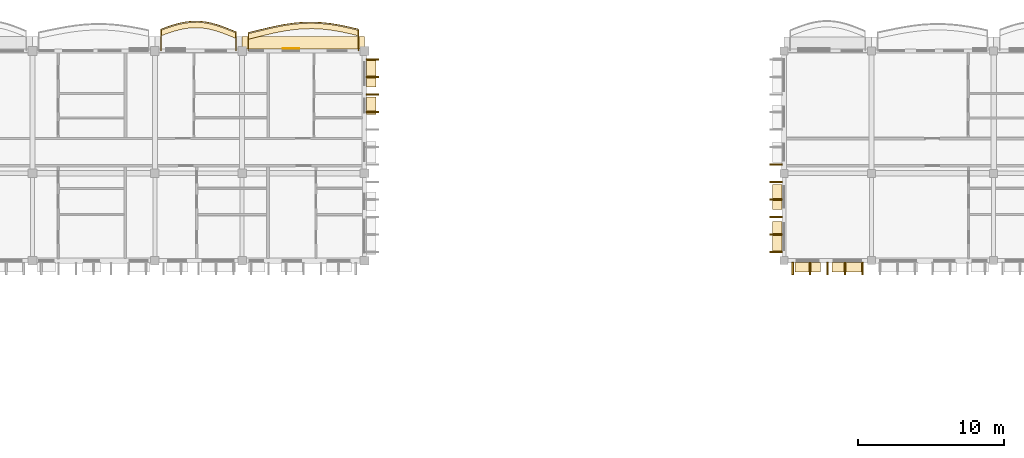
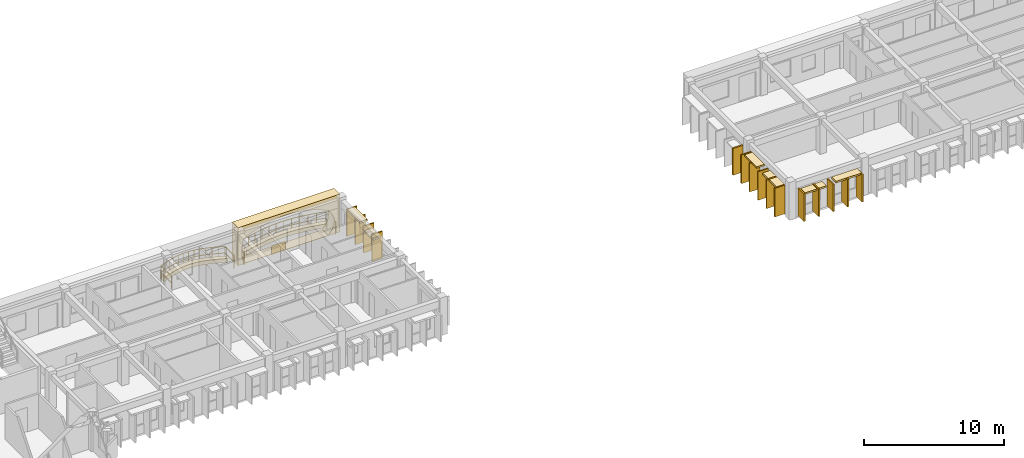
# One storey, part 45 of 59: 25 coverings, 2 railings.
"""IFC4 building model written with IfcOpenShell, lengths in metres."""

from ifc_helpers import new_model, si_unit, direction, frame, origin, origin_2d, place, context, subcontext, project, spatial, polyline, rectangle, outline, extrude, material, layer, layer_set, type_object, element, save


model = new_model("IFC4")

# Units and contexts
model_context = context("Model", 3, precision=1e-05, world=origin(), true_north=direction((0.0, 1.0)))
body_context = subcontext(model_context, "Body", "Model", "MODEL_VIEW")
ifc_project = project(units=[si_unit("LENGTHUNIT", "METRE"), si_unit("AREAUNIT", "SQUARE_METRE"), si_unit("VOLUMEUNIT", "CUBIC_METRE"), si_unit("PLANEANGLEUNIT", "RADIAN"), si_unit("MASSUNIT", "GRAM", prefix="KILO"), si_unit("THERMODYNAMICTEMPERATUREUNIT", "KELVIN")], contexts=[model_context])

# Site, building, storey
site_placement = place(None, origin())
site = spatial("IfcSite", under=ifc_project, at=site_placement, CompositionType="ELEMENT")
building_placement = place(site_placement, origin())
building = spatial("IfcBuilding", under=site, at=building_placement, Name="Thalorik Housing Commons", CompositionType="ELEMENT")
storey_placement = place(building_placement, frame((0.0, 0.0, 27.89990234375)))
storey = spatial("IfcBuildingStorey", under=building, at=storey_placement, Name="L08", CompositionType="ELEMENT", Elevation=27.89990234375)

# Coverings
ifc_material_1 = material(Name="Precast concrete C40/50", Category="concrete")
ifc_layer_1 = layer(ifc_material_1, 0.85009765625, Name="Precast concrete C40/50", Category="concrete")
ifc_layer_set_1 = layer_set([ifc_layer_1], Name="Precast concrete C40/50")
covering_type_1 = type_object("IfcCoveringType", Name="ARC-CLD-CUSH-850", PredefinedType="CLADDING", material=ifc_layer_set_1)
covering_1_placement = place(storey_placement, frame((47.39990234375, 124.155029296875, 0.0), z_axis=(0.0, 0.0, 1.0), x_axis=(-1.0, 0.0, 0.0)))
element("IfcCovering", 1, at=covering_1_placement, inside=storey, type_object=covering_type_1, Name="L08 White Precast Curved Cushion Bay Frame 855", PredefinedType="CLADDING", context=body_context, shape_type="SweptSolid", body=[
    extrude(outline(polyline([(-4.199951171875, 0.0), (4.199951171875, 0.0), (4.199951171875, 3.300048828125), (-4.199951171875, 3.300048828125), (-4.199951171875, 0.0)]), holes=[polyline([(3.715087890625, 0.02490234375), (3.8173828125, 0.387451171875), (3.87890625, 0.75), (3.8994140625, 1.112548828125), (3.87890625, 1.47509765625), (3.8173828125, 1.83740234375), (3.715087890625, 2.199951171875), (3.135498046875, 2.455810546875), (2.555908203125, 2.656494140625), (1.976318359375, 2.819091796875), (1.396728515625, 2.940185546875), (0.817138671875, 3.014892578125), (0.237548828125, 3.0400390625), (-0.342041015625, 3.014892578125), (-0.921630859375, 2.940185546875), (-1.501220703125, 2.819091796875), (-2.080810546875, 2.656494140625), (-2.660400390625, 2.455810546875), (-3.239990234375, 2.199951171875), (-3.523193359375, 1.83740234375), (-3.693359375, 1.47509765625), (-3.75, 1.112548828125), (-3.693359375, 0.75), (-3.523193359375, 0.387451171875), (-3.239990234375, 0.02490234375), (3.715087890625, 0.02490234375)])]), frame((0.0, 0.425048828125, 0.0), z_axis=(0.0, -1.0, 0.0), x_axis=(1.0, 0.0, 0.0)), (0.0, 0.0, 1.0), 0.85009765625),
])
ifc_layer_2 = layer(ifc_material_1, 0.85009765625, Name="Precast concrete C40/50", Category="concrete")
ifc_layer_set_2 = layer_set([ifc_layer_2], Name="Precast concrete C40/50")
covering_type_2 = type_object("IfcCoveringType", Name="ARC-CLD-FIN-850", PredefinedType="CLADDING", material=ifc_layer_set_2)
for number, where, z_axis, x_axis, name in (
    (2, (52.155029296875, 119.39990234375, 0.0400390625), (0.0, 0.0, 1.0), (0.0, 1.0, 0.0), "L08 Courtyard Precast Vertical Brise-Soleil Fin 848"),
    (3, (52.155029296875, 120.60009765625, 0.0400390625), (0.0, 0.0, 1.0), (0.0, 1.0, 0.0), "L08 Courtyard Precast Vertical Brise-Soleil Fin 849"),
    (4, (52.155029296875, 121.800048828125, 0.0400390625), (0.0, 0.0, 1.0), (0.0, 1.0, 0.0), "L08 Courtyard Precast Vertical Brise-Soleil Fin 850"),
    (5, (52.155029296875, 123.0, 0.0400390625), (0.0, 0.0, 1.0), (0.0, 1.0, 0.0), "L08 Courtyard Precast Vertical Brise-Soleil Fin 851"),
    (6, (79.8525390625, 115.800048828125, 0.0400390625), (0.0, 0.0, 1.0), (0.0, -1.0, 0.0), "L08 Courtyard Precast Vertical Brise-Soleil Fin 2734"),
):
    element("IfcCovering", number, at=place(storey_placement, frame(where, z_axis=z_axis, x_axis=x_axis)), inside=storey, type_object=covering_type_2, Name=name, PredefinedType="CLADDING", context=body_context, shape_type="SweptSolid", body=[
        extrude(rectangle(XDim=0.110107421875, YDim=0.85009765625, at=origin_2d()), origin(), (0.0, 0.0, 1.0), 2.344970703125),
    ])
for number, where, z_axis, x_axis, name in (
    (7, (79.8525390625, 114.60009765625, 0.0400390625), (0.0, 0.0, 1.0), (0.0, -1.0, 0.0), "L08 Courtyard Precast Vertical Brise-Soleil Fin 2738"),
    (8, (79.8525390625, 113.39990234375, 0.0400390625), (0.0, 0.0, 1.0), (0.0, -1.0, 0.0), "L08 Courtyard Precast Vertical Brise-Soleil Fin 2739"),
    (9, (79.8525390625, 112.199951171875, 0.0400390625), (0.0, 0.0, 1.0), (0.0, -1.0, 0.0), "L08 Courtyard Precast Vertical Brise-Soleil Fin 2740"),
    (10, (79.8525390625, 111.0, 0.0400390625), (0.0, 0.0, 1.0), (0.0, -1.0, 0.0), "L08 Courtyard Precast Vertical Brise-Soleil Fin 2741"),
    (11, (79.8525390625, 109.800048828125, 0.0400390625), (0.0, 0.0, 1.0), (0.0, -1.0, 0.0), "L08 Courtyard Precast Vertical Brise-Soleil Fin 2742"),
):
    element("IfcCovering", number, at=place(storey_placement, frame(where, z_axis=z_axis, x_axis=x_axis)), inside=storey, type_object=covering_type_2, Name=name, PredefinedType="CLADDING", context=body_context, shape_type="SweptSolid", body=[
        extrude(rectangle(XDim=0.110107421875, YDim=0.85009765625, at=origin_2d()), origin(), (0.0, 0.0, 1.0), 2.4951171875),
    ])
for number, where, z_axis, x_axis, name in (
    (12, (81.0, 108.652587890625, 0.0400390625), (0.0, 0.0, 1.0), (1.0, 0.0, 0.0), "L08 Courtyard Precast Vertical Brise-Soleil Fin 2745"),
    (13, (82.199951171875, 108.652587890625, 0.0400390625), (0.0, 0.0, 1.0), (1.0, 0.0, 0.0), "L08 Courtyard Precast Vertical Brise-Soleil Fin 2746"),
    (14, (83.39990234375, 108.652587890625, 0.0400390625), (0.0, 0.0, 1.0), (1.0, 0.0, 0.0), "L08 Courtyard Precast Vertical Brise-Soleil Fin 2747"),
    (15, (84.60009765625, 108.652587890625, 0.0400390625), (0.0, 0.0, 1.0), (1.0, 0.0, 0.0), "L08 Courtyard Precast Vertical Brise-Soleil Fin 2748"),
    (16, (85.800048828125, 108.652587890625, 0.0400390625), (0.0, 0.0, 1.0), (1.0, 0.0, 0.0), "L08 Courtyard Precast Vertical Brise-Soleil Fin 2749"),
):
    element("IfcCovering", number, at=place(storey_placement, frame(where, z_axis=z_axis, x_axis=x_axis)), inside=storey, type_object=covering_type_2, Name=name, PredefinedType="CLADDING", context=body_context, shape_type="SweptSolid", body=[
        extrude(rectangle(XDim=0.110107421875, YDim=0.85009765625, at=origin_2d()), origin(), (0.0, 0.0, 1.0), 2.39501953125),
    ])
ifc_layer_3 = layer(ifc_material_1, 0.64990234375, Name="Precast concrete C40/50", Category="concrete")
ifc_layer_set_3 = layer_set([ifc_layer_3], Name="Precast concrete C40/50")
covering_type_3 = type_object("IfcCoveringType", Name="ARC-CLD-HOOD-650", PredefinedType="CLADDING", material=ifc_layer_set_3)
covering_2_placement = place(storey_placement, frame((52.054931640625, 119.8447265625, 1.93994140625), z_axis=(0.0, 0.0, 1.0), x_axis=(0.0, 1.0, 0.0)))
element("IfcCovering", 17, at=covering_2_placement, inside=storey, type_object=covering_type_3, Name="L08 Courtyard Precast Window Sun-Hood 853", PredefinedType="CLADDING", context=body_context, shape_type="SweptSolid", body=[
    extrude(rectangle(XDim=1.18994140625, YDim=0.64990234375, at=origin_2d()), origin(), (0.0, 0.0, 1.0), 0.139892578125),
])
covering_3_placement = place(storey_placement, frame((52.054931640625, 122.044677734375, 2.27001953125), z_axis=(0.0, 0.0, 1.0), x_axis=(0.0, 1.0, 0.0)))
element("IfcCovering", 18, at=covering_3_placement, inside=storey, type_object=covering_type_3, Name="L08 Courtyard Precast Window Sun-Hood 854", PredefinedType="CLADDING", context=body_context, shape_type="SweptSolid", body=[
    extrude(rectangle(XDim=1.820068359375, YDim=0.64990234375, at=origin_2d()), origin(), (0.0, 0.0, 1.0), 0.139892578125),
])
covering_4_placement = place(storey_placement, frame((79.952392578125, 113.570068359375, 2.42529296875), z_axis=(0.0, 0.0, 1.0), x_axis=(0.0, -1.0, 0.0)))
element("IfcCovering", 19, at=covering_4_placement, inside=storey, type_object=covering_type_3, Name="L08 Courtyard Precast Window Sun-Hood 2743", PredefinedType="CLADDING", context=body_context, shape_type="SweptSolid", body=[
    extrude(rectangle(XDim=1.739990234375, YDim=0.64990234375, at=origin_2d()), origin(), (0.0, 0.0, 1.0), 0.139892578125),
])
covering_5_placement = place(storey_placement, frame((79.952392578125, 110.830078125, 2.39013671875), z_axis=(0.0, 0.0, 1.0), x_axis=(0.0, -1.0, 0.0)))
element("IfcCovering", 20, at=covering_5_placement, inside=storey, type_object=covering_type_3, Name="L08 Courtyard Precast Window Sun-Hood 2744", PredefinedType="CLADDING", context=body_context, shape_type="SweptSolid", body=[
    extrude(rectangle(XDim=2.090087890625, YDim=0.64990234375, at=origin_2d()), origin(), (0.0, 0.0, 1.0), 0.139892578125),
])
covering_6_placement = place(storey_placement, frame((82.030029296875, 108.75244140625, 2.2099609375), z_axis=(0.0, 0.0, 1.0), x_axis=(1.0, 0.0, 0.0)))
element("IfcCovering", 21, at=covering_6_placement, inside=storey, type_object=covering_type_3, Name="L08 Courtyard Precast Window Sun-Hood 2750", PredefinedType="CLADDING", context=body_context, shape_type="SweptSolid", body=[
    extrude(rectangle(XDim=1.760009765625, YDim=0.64990234375, at=origin_2d()), origin(), (0.0, 0.0, 1.0), 0.139892578125),
])
covering_7_placement = place(storey_placement, frame((84.77001953125, 108.75244140625, 2.31005859375), z_axis=(0.0, 0.0, 1.0), x_axis=(1.0, 0.0, 0.0)))
element("IfcCovering", 22, at=covering_7_placement, inside=storey, type_object=covering_type_3, Name="L08 Courtyard Precast Window Sun-Hood 2751", PredefinedType="CLADDING", context=body_context, shape_type="SweptSolid", body=[
    extrude(rectangle(XDim=2.1201171875, YDim=0.64990234375, at=origin_2d()), origin(), (0.0, 0.0, 1.0), 0.139892578125),
])
ifc_material_2 = material(Name="Terracotta red mineral fibre-cement panel", Category="masonry")
ifc_layer_4 = layer(ifc_material_2, 0.054931640625, Name="Terracotta red mineral fibre-cement panel", Category="masonry")
ifc_layer_set_4 = layer_set([ifc_layer_4], Name="Terracotta red mineral fibre-cement panel")
covering_type_4 = type_object("IfcCoveringType", Name="ARC-CLD-RED-55", PredefinedType="CLADDING", material=ifc_layer_set_4)
covering_8_placement = place(storey_placement, frame((46.554443359375, 123.762451171875, 0.05029296875), z_axis=(0.0, 0.0, 1.0), x_axis=(-1.0, 0.0, 0.0)))
element("IfcCovering", 23, at=covering_8_placement, inside=storey, type_object=covering_type_4, Name="L08 De Stijl Recessed Window Spandrel 856", PredefinedType="CLADDING", context=body_context, shape_type="SweptSolid", body=[
    extrude(rectangle(XDim=1.14990234375, YDim=0.054931640625, at=origin_2d()), origin(), (0.0, 0.0, 1.0), 0.699951171875),
])
ifc_material_3 = material(Name="Planted vegetated substrate and terracotta trough", Category="masonry")
ifc_layer_5 = layer(ifc_material_3, 0.340087890625, Name="Planted vegetated substrate and terracotta trough", Category="masonry")
ifc_layer_set_5 = layer_set([ifc_layer_5], Name="Planted vegetated substrate and terracotta trough")
covering_type_5 = type_object("IfcCoveringType", Name="ARC-COV-PLANTER", PredefinedType="USERDEFINED", material=ifc_layer_set_5)
covering_9_placement = place(storey_placement, origin())
element("IfcCovering", 24, at=covering_9_placement, inside=storey, type_object=covering_type_5, Name="L08 Balcony Slab-Edge Planted Trough 5373", ObjectType="PLANTER", PredefinedType="USERDEFINED", context=body_context, shape_type="SweptSolid", body=[
    extrude(outline(polyline([(42.780029296875, 124.83154296875), (42.35009765625, 125.009521484375), (41.919921875, 125.17822265625), (41.489990234375, 125.3271484375), (41.06005859375, 125.446533203125), (40.6298828125, 125.529296875), (40.199951171875, 125.570556640625), (39.77001953125, 125.56787109375), (39.340087890625, 125.522216796875), (38.909912109375, 125.43701171875), (38.47998046875, 125.31884765625), (38.050048828125, 125.17578125), (37.6201171875, 125.017578125), (37.6201171875, 124.6376953125), (38.050048828125, 124.795654296875), (38.47998046875, 124.938720703125), (38.909912109375, 125.05712890625), (39.340087890625, 125.14208984375), (39.77001953125, 125.187744140625), (40.199951171875, 125.1904296875), (40.6298828125, 125.1494140625), (41.06005859375, 125.066650390625), (41.489990234375, 124.947021484375), (41.919921875, 124.798095703125), (42.35009765625, 124.62939453125), (42.780029296875, 124.45166015625), (42.780029296875, 124.83154296875)])), origin(), (0.0, 0.0, 1.0), 0.340087890625),
])
covering_10_placement = place(storey_placement, origin())
element("IfcCovering", 25, at=covering_10_placement, inside=storey, type_object=covering_type_5, Name="L08 Balcony Slab-Edge Planted Trough 5374", ObjectType="PLANTER", PredefinedType="USERDEFINED", context=body_context, shape_type="SweptSolid", body=[
    extrude(outline(polyline([(51.179931640625, 125.017822265625), (50.550048828125, 125.170166015625), (49.919921875, 125.302978515625), (49.2900390625, 125.40771484375), (48.659912109375, 125.477294921875), (48.030029296875, 125.507080078125), (47.39990234375, 125.49560546875), (46.77001953125, 125.443115234375), (46.139892578125, 125.35400390625), (45.510009765625, 125.234619140625), (44.8798828125, 125.0927734375), (44.25, 124.938720703125), (43.6201171875, 124.78271484375), (43.6201171875, 124.402587890625), (44.25, 124.55859375), (44.8798828125, 124.712890625), (45.510009765625, 124.8544921875), (46.139892578125, 124.97412109375), (46.77001953125, 125.063232421875), (47.39990234375, 125.115478515625), (48.030029296875, 125.127197265625), (48.659912109375, 125.097412109375), (49.2900390625, 125.02783203125), (49.919921875, 124.923095703125), (50.550048828125, 124.7900390625), (51.179931640625, 124.6376953125), (51.179931640625, 125.017822265625)])), origin(), (0.0, 0.0, 1.0), 0.340087890625),
])

# Railings
ifc_material_4 = material(Name="Steel S355", Category="steel")
railing_type_1 = type_object("IfcRailingType", Name="ARC-RL-BAL-112", PredefinedType="BALUSTRADE", material=ifc_material_4)
railing_1_placement = place(storey_placement, frame((51.179931640625, 123.60009765625, 0.0)))
element("IfcRailing", 26, at=railing_1_placement, inside=storey, type_object=railing_type_1, Name="L08 Cushion Balcony Guardrail 58", PredefinedType="BALUSTRADE", context=body_context, shape_type="SweptSolid", body=[
    extrude(rectangle(XDim=0.050048828125, YDim=0.050048828125, at=origin_2d()), frame((0.0, 0.0, 1.09521484375), z_axis=(0.0, 1.0, 0.0), x_axis=(-1.0, 0.0, 0.0)), (0.0, 0.0, 1.0), 1.48779296875),
    extrude(rectangle(XDim=0.050048828125, YDim=0.050048828125, at=origin_2d()), frame((0.0, 0.0, 0.53515625), z_axis=(0.0, 1.0, 0.0), x_axis=(-1.0, 0.0, 0.0)), (0.0, 0.0, 1.0), 1.48779296875),
    extrude(rectangle(XDim=0.050048828125, YDim=0.050048828125, at=origin_2d()), frame((0.0, 1.48779296875, 1.09521484375), z_axis=(-0.972061461367, 0.23472646916, 0.0), x_axis=(-0.23472646916, -0.972061461367, 0.0)), (0.0, 0.0, 1.0), 0.64794921875),
    extrude(rectangle(XDim=0.050048828125, YDim=0.050048828125, at=origin_2d()), frame((0.0, 1.48779296875, 0.53515625), z_axis=(-0.972061461367, 0.23472646916, 0.0), x_axis=(-0.23472646916, -0.972061461367, 0.0)), (0.0, 0.0, 1.0), 0.64794921875),
    extrude(rectangle(XDim=0.050048828125, YDim=0.050048828125, at=origin_2d()), frame((-0.6298828125, 1.639892578125, 1.09521484375), z_axis=(-0.97842491914, 0.206602704739, 0.0), x_axis=(-0.206602704739, -0.97842491914, 0.0)), (0.0, 0.0, 1.0), 0.64404296875),
    extrude(rectangle(XDim=0.050048828125, YDim=0.050048828125, at=origin_2d()), frame((-0.6298828125, 1.639892578125, 0.53515625), z_axis=(-0.97842491914, 0.206602704739, 0.0), x_axis=(-0.206602704739, -0.97842491914, 0.0)), (0.0, 0.0, 1.0), 0.64404296875),
    extrude(rectangle(XDim=0.050048828125, YDim=0.050048828125, at=origin_2d()), frame((-1.260009765625, 1.77294921875, 1.09521484375), z_axis=(-0.986455855934, 0.164026962091, 0.0), x_axis=(-0.164026962091, -0.986455855934, 0.0)), (0.0, 0.0, 1.0), 0.638427734375),
    extrude(rectangle(XDim=0.050048828125, YDim=0.050048828125, at=origin_2d()), frame((-1.260009765625, 1.77294921875, 0.53515625), z_axis=(-0.986455855934, 0.164026962091, 0.0), x_axis=(-0.164026962091, -0.986455855934, 0.0)), (0.0, 0.0, 1.0), 0.638427734375),
    extrude(rectangle(XDim=0.050048828125, YDim=0.050048828125, at=origin_2d()), frame((-1.889892578125, 1.877685546875, 1.09521484375), z_axis=(-0.993958647225, 0.109755216761, 0.0), x_axis=(-0.109755216761, -0.993958647225, 0.0)), (0.0, 0.0, 1.0), 0.634033203125),
    extrude(rectangle(XDim=0.050048828125, YDim=0.050048828125, at=origin_2d()), frame((-1.889892578125, 1.877685546875, 0.53515625), z_axis=(-0.993958647225, 0.109755216761, 0.0), x_axis=(-0.109755216761, -0.993958647225, 0.0)), (0.0, 0.0, 1.0), 0.634033203125),
    extrude(rectangle(XDim=0.050048828125, YDim=0.050048828125, at=origin_2d()), frame((-2.52001953125, 1.947265625, 1.09521484375), z_axis=(-0.998883849719, 0.047234042506, 0.0), x_axis=(-0.047234042506, -0.998883849719, 0.0)), (0.0, 0.0, 1.0), 0.630615234375),
    extrude(rectangle(XDim=0.050048828125, YDim=0.050048828125, at=origin_2d()), frame((-2.52001953125, 1.947265625, 0.53515625), z_axis=(-0.998883849719, 0.047234042506, 0.0), x_axis=(-0.047234042506, -0.998883849719, 0.0)), (0.0, 0.0, 1.0), 0.630615234375),
    extrude(rectangle(XDim=0.050048828125, YDim=0.050048828125, at=origin_2d()), frame((-3.14990234375, 1.97705078125, 1.09521484375), z_axis=(-0.999827112405, -0.018594227584, 0.0), x_axis=(0.018594227584, -0.999827112405, 0.0)), (0.0, 0.0, 1.0), 0.630126953125),
    extrude(rectangle(XDim=0.050048828125, YDim=0.050048828125, at=origin_2d()), frame((-3.14990234375, 1.97705078125, 0.53515625), z_axis=(-0.999827112405, -0.018594227584, 0.0), x_axis=(0.018594227584, -0.999827112405, 0.0)), (0.0, 0.0, 1.0), 0.630126953125),
    extrude(rectangle(XDim=0.050048828125, YDim=0.050048828125, at=origin_2d()), frame((-3.780029296875, 1.96533203125, 1.09521484375), z_axis=(-0.996577651619, -0.082661867227, 0.0), x_axis=(0.082661867227, -0.996577651619, 0.0)), (0.0, 0.0, 1.0), 0.632080078125),
    extrude(rectangle(XDim=0.050048828125, YDim=0.050048828125, at=origin_2d()), frame((-3.780029296875, 1.96533203125, 0.53515625), z_axis=(-0.996577651619, -0.082661867227, 0.0), x_axis=(0.082661867227, -0.996577651619, 0.0)), (0.0, 0.0, 1.0), 0.632080078125),
    extrude(rectangle(XDim=0.050048828125, YDim=0.050048828125, at=origin_2d()), frame((-4.409912109375, 1.9130859375, 1.09521484375), z_axis=(-0.990147996171, -0.140024803798, 0.0), x_axis=(0.140024803798, -0.990147996171, 0.0)), (0.0, 0.0, 1.0), 0.636474609375),
    extrude(rectangle(XDim=0.050048828125, YDim=0.050048828125, at=origin_2d()), frame((-4.409912109375, 1.9130859375, 0.53515625), z_axis=(-0.990147996171, -0.140024803798, 0.0), x_axis=(0.140024803798, -0.990147996171, 0.0)), (0.0, 0.0, 1.0), 0.636474609375),
    extrude(rectangle(XDim=0.050048828125, YDim=0.050048828125, at=origin_2d()), frame((-5.0400390625, 1.823974609375, 1.09521484375), z_axis=(-0.982508153778, -0.186219568681, 0.0), x_axis=(0.186219568681, -0.982508153778, 0.0)), (0.0, 0.0, 1.0), 0.64111328125),
    extrude(rectangle(XDim=0.050048828125, YDim=0.050048828125, at=origin_2d()), frame((-5.0400390625, 1.823974609375, 0.53515625), z_axis=(-0.982508153778, -0.186219568681, 0.0), x_axis=(0.186219568681, -0.982508153778, 0.0)), (0.0, 0.0, 1.0), 0.64111328125),
    extrude(rectangle(XDim=0.050048828125, YDim=0.050048828125, at=origin_2d()), frame((-5.669921875, 1.70458984375, 1.09521484375), z_axis=(-0.975587490028, -0.219611132006, 0.0), x_axis=(0.219611132006, -0.975587490028, 0.0)), (0.0, 0.0, 1.0), 0.64599609375),
    extrude(rectangle(XDim=0.050048828125, YDim=0.050048828125, at=origin_2d()), frame((-5.669921875, 1.70458984375, 0.53515625), z_axis=(-0.975587490028, -0.219611132006, 0.0), x_axis=(0.219611132006, -0.975587490028, 0.0)), (0.0, 0.0, 1.0), 0.64599609375),
    extrude(rectangle(XDim=0.050048828125, YDim=0.050048828125, at=origin_2d()), frame((-6.300048828125, 1.562744140625, 1.09521484375), z_axis=(-0.971370051234, -0.23757151253, 0.0), x_axis=(0.23757151253, -0.971370051234, 0.0)), (0.0, 0.0, 1.0), 0.6484375),
    extrude(rectangle(XDim=0.050048828125, YDim=0.050048828125, at=origin_2d()), frame((-6.300048828125, 1.562744140625, 0.53515625), z_axis=(-0.971370051234, -0.23757151253, 0.0), x_axis=(0.23757151253, -0.971370051234, 0.0)), (0.0, 0.0, 1.0), 0.6484375),
    extrude(rectangle(XDim=0.050048828125, YDim=0.050048828125, at=origin_2d()), frame((-6.929931640625, 1.40869140625, 1.09521484375), z_axis=(-0.970583467402, -0.240764891139, 0.0), x_axis=(0.240764891139, -0.970583467402, 0.0)), (0.0, 0.0, 1.0), 0.64892578125),
    extrude(rectangle(XDim=0.050048828125, YDim=0.050048828125, at=origin_2d()), frame((-6.929931640625, 1.40869140625, 0.53515625), z_axis=(-0.970583467402, -0.240764891139, 0.0), x_axis=(0.240764891139, -0.970583467402, 0.0)), (0.0, 0.0, 1.0), 0.64892578125),
    extrude(rectangle(XDim=0.050048828125, YDim=0.050048828125, at=origin_2d()), frame((-7.559814453125, 1.25244140625, 1.09521484375), z_axis=(0.0, -1.0, 0.0), x_axis=(1.0, 0.0, 0.0)), (0.0, 0.0, 1.0), 1.25244140625),
    extrude(rectangle(XDim=0.050048828125, YDim=0.050048828125, at=origin_2d()), frame((-7.559814453125, 1.25244140625, 0.53515625), z_axis=(0.0, -1.0, 0.0), x_axis=(1.0, 0.0, 0.0)), (0.0, 0.0, 1.0), 1.25244140625),
    extrude(rectangle(XDim=0.0419921875, YDim=0.0419921875, at=origin_2d()), origin(), (0.0, 0.0, 1.0), 1.070068359375),
    extrude(rectangle(XDim=0.0419921875, YDim=0.0419921875, at=origin_2d()), frame((0.0, 1.48779296875, 0.0)), (0.0, 0.0, 1.0), 1.070068359375),
    extrude(rectangle(XDim=0.0419921875, YDim=0.0419921875, at=origin_2d()), frame((-0.6298828125, 1.639892578125, 0.0)), (0.0, 0.0, 1.0), 1.070068359375),
    extrude(rectangle(XDim=0.0419921875, YDim=0.0419921875, at=origin_2d()), frame((-1.260009765625, 1.77294921875, 0.0)), (0.0, 0.0, 1.0), 1.070068359375),
    extrude(rectangle(XDim=0.0419921875, YDim=0.0419921875, at=origin_2d()), frame((-1.889892578125, 1.877685546875, 0.0)), (0.0, 0.0, 1.0), 1.070068359375),
    extrude(rectangle(XDim=0.0419921875, YDim=0.0419921875, at=origin_2d()), frame((-2.52001953125, 1.947265625, 0.0)), (0.0, 0.0, 1.0), 1.070068359375),
    extrude(rectangle(XDim=0.0419921875, YDim=0.0419921875, at=origin_2d()), frame((-3.14990234375, 1.97705078125, 0.0)), (0.0, 0.0, 1.0), 1.070068359375),
    extrude(rectangle(XDim=0.0419921875, YDim=0.0419921875, at=origin_2d()), frame((-3.780029296875, 1.96533203125, 0.0)), (0.0, 0.0, 1.0), 1.070068359375),
    extrude(rectangle(XDim=0.0419921875, YDim=0.0419921875, at=origin_2d()), frame((-4.409912109375, 1.9130859375, 0.0)), (0.0, 0.0, 1.0), 1.070068359375),
    extrude(rectangle(XDim=0.0419921875, YDim=0.0419921875, at=origin_2d()), frame((-5.0400390625, 1.823974609375, 0.0)), (0.0, 0.0, 1.0), 1.070068359375),
    extrude(rectangle(XDim=0.0419921875, YDim=0.0419921875, at=origin_2d()), frame((-5.669921875, 1.70458984375, 0.0)), (0.0, 0.0, 1.0), 1.070068359375),
    extrude(rectangle(XDim=0.0419921875, YDim=0.0419921875, at=origin_2d()), frame((-6.300048828125, 1.562744140625, 0.0)), (0.0, 0.0, 1.0), 1.070068359375),
    extrude(rectangle(XDim=0.0419921875, YDim=0.0419921875, at=origin_2d()), frame((-6.929931640625, 1.40869140625, 0.0)), (0.0, 0.0, 1.0), 1.070068359375),
    extrude(rectangle(XDim=0.0419921875, YDim=0.0419921875, at=origin_2d()), frame((-7.559814453125, 1.25244140625, 0.0)), (0.0, 0.0, 1.0), 1.070068359375),
    extrude(rectangle(XDim=0.0419921875, YDim=0.0419921875, at=origin_2d()), frame((-7.559814453125, 0.0, 0.0)), (0.0, 0.0, 1.0), 1.070068359375),
])
railing_type_2 = type_object("IfcRailingType", Name="ARC-RL-BAL-115", PredefinedType="BALUSTRADE", material=ifc_material_4)
railing_2_placement = place(storey_placement, frame((42.780029296875, 123.60009765625, 0.0)))
element("IfcRailing", 27, at=railing_2_placement, inside=storey, type_object=railing_type_2, Name="L08 Cushion Balcony Guardrail 57", PredefinedType="BALUSTRADE", context=body_context, shape_type="SweptSolid", body=[
    extrude(rectangle(XDim=0.050048828125, YDim=0.050048828125, at=origin_2d()), frame((0.0, 0.0, 1.125), z_axis=(0.0, 1.0, 0.0), x_axis=(-1.0, 0.0, 0.0)), (0.0, 0.0, 1.0), 1.301513671875),
    extrude(rectangle(XDim=0.050048828125, YDim=0.050048828125, at=origin_2d()), frame((0.0, 0.0, 0.5498046875), z_axis=(0.0, 1.0, 0.0), x_axis=(-1.0, 0.0, 0.0)), (0.0, 0.0, 1.0), 1.301513671875),
    extrude(rectangle(XDim=0.050048828125, YDim=0.050048828125, at=origin_2d()), frame((0.0, 1.301513671875, 1.125), z_axis=(-0.923959293734, 0.382490814953, 0.0), x_axis=(-0.382490814953, -0.923959293734, 0.0)), (0.0, 0.0, 1.0), 0.46533203125),
    extrude(rectangle(XDim=0.050048828125, YDim=0.050048828125, at=origin_2d()), frame((0.0, 1.301513671875, 0.5498046875), z_axis=(-0.923959293734, 0.382490814953, 0.0), x_axis=(-0.382490814953, -0.923959293734, 0.0)), (0.0, 0.0, 1.0), 0.46533203125),
    extrude(rectangle(XDim=0.050048828125, YDim=0.050048828125, at=origin_2d()), frame((-0.429931640625, 1.4794921875, 1.125), z_axis=(-0.93096967722, 0.365096507922, 0.0), x_axis=(-0.365096507922, -0.93096967722, 0.0)), (0.0, 0.0, 1.0), 0.462158203125),
    extrude(rectangle(XDim=0.050048828125, YDim=0.050048828125, at=origin_2d()), frame((-0.429931640625, 1.4794921875, 0.5498046875), z_axis=(-0.93096967722, 0.365096507922, 0.0), x_axis=(-0.365096507922, -0.93096967722, 0.0)), (0.0, 0.0, 1.0), 0.462158203125),
    extrude(rectangle(XDim=0.050048828125, YDim=0.050048828125, at=origin_2d()), frame((-0.860107421875, 1.648193359375, 1.125), z_axis=(-0.944915878201, 0.327313279786, 0.0), x_axis=(-0.327313279786, -0.944915878201, 0.0)), (0.0, 0.0, 1.0), 0.455078125),
    extrude(rectangle(XDim=0.050048828125, YDim=0.050048828125, at=origin_2d()), frame((-0.860107421875, 1.648193359375, 0.5498046875), z_axis=(-0.944915878201, 0.327313279786, 0.0), x_axis=(-0.327313279786, -0.944915878201, 0.0)), (0.0, 0.0, 1.0), 0.455078125),
    extrude(rectangle(XDim=0.050048828125, YDim=0.050048828125, at=origin_2d()), frame((-1.2900390625, 1.797119140625, 1.125), z_axis=(-0.963541422637, 0.267559202538, 0.0), x_axis=(-0.267559202538, -0.963541422637, 0.0)), (0.0, 0.0, 1.0), 0.4462890625),
    extrude(rectangle(XDim=0.050048828125, YDim=0.050048828125, at=origin_2d()), frame((-1.2900390625, 1.797119140625, 0.5498046875), z_axis=(-0.963541422637, 0.267559202538, 0.0), x_axis=(-0.267559202538, -0.963541422637, 0.0)), (0.0, 0.0, 1.0), 0.4462890625),
    extrude(rectangle(XDim=0.050048828125, YDim=0.050048828125, at=origin_2d()), frame((-1.719970703125, 1.91650390625, 1.125), z_axis=(-0.981990542905, 0.188930076075, 0.0), x_axis=(-0.188930076075, -0.981990542905, 0.0)), (0.0, 0.0, 1.0), 0.43798828125),
    extrude(rectangle(XDim=0.050048828125, YDim=0.050048828125, at=origin_2d()), frame((-1.719970703125, 1.91650390625, 0.5498046875), z_axis=(-0.981990542905, 0.188930076075, 0.0), x_axis=(-0.188930076075, -0.981990542905, 0.0)), (0.0, 0.0, 1.0), 0.43798828125),
    extrude(rectangle(XDim=0.050048828125, YDim=0.050048828125, at=origin_2d()), frame((-2.150146484375, 1.999267578125, 1.125), z_axis=(-0.995480215882, 0.094969151771, 0.0), x_axis=(-0.094969151771, -0.995480215882, 0.0)), (0.0, 0.0, 1.0), 0.431884765625),
    extrude(rectangle(XDim=0.050048828125, YDim=0.050048828125, at=origin_2d()), frame((-2.150146484375, 1.999267578125, 0.5498046875), z_axis=(-0.995480215882, 0.094969151771, 0.0), x_axis=(-0.094969151771, -0.995480215882, 0.0)), (0.0, 0.0, 1.0), 0.431884765625),
    extrude(rectangle(XDim=0.050048828125, YDim=0.050048828125, at=origin_2d()), frame((-2.580078125, 2.040283203125, 1.125), z_axis=(-0.999980491497, -0.006246329021, 0.0), x_axis=(0.006246329021, -0.999980491497, 0.0)), (0.0, 0.0, 1.0), 0.429931640625),
    extrude(rectangle(XDim=0.050048828125, YDim=0.050048828125, at=origin_2d()), frame((-2.580078125, 2.040283203125, 0.5498046875), z_axis=(-0.999980491497, -0.006246329021, 0.0), x_axis=(0.006246329021, -0.999980491497, 0.0)), (0.0, 0.0, 1.0), 0.429931640625),
    extrude(rectangle(XDim=0.050048828125, YDim=0.050048828125, at=origin_2d()), frame((-3.010009765625, 2.03759765625, 1.125), z_axis=(-0.994409116474, -0.105595970915, 0.0), x_axis=(0.105595970915, -0.994409116474, 0.0)), (0.0, 0.0, 1.0), 0.432373046875),
    extrude(rectangle(XDim=0.050048828125, YDim=0.050048828125, at=origin_2d()), frame((-3.010009765625, 2.03759765625, 0.5498046875), z_axis=(-0.994409116474, -0.105595970915, 0.0), x_axis=(0.105595970915, -0.994409116474, 0.0)), (0.0, 0.0, 1.0), 0.432373046875),
    extrude(rectangle(XDim=0.050048828125, YDim=0.050048828125, at=origin_2d()), frame((-3.43994140625, 1.991943359375, 1.125), z_axis=(-0.981048969075, -0.1937599553, 0.0), x_axis=(0.1937599553, -0.981048969075, 0.0)), (0.0, 0.0, 1.0), 0.4384765625),
    extrude(rectangle(XDim=0.050048828125, YDim=0.050048828125, at=origin_2d()), frame((-3.43994140625, 1.991943359375, 0.5498046875), z_axis=(-0.981048969075, -0.1937599553, 0.0), x_axis=(0.1937599553, -0.981048969075, 0.0)), (0.0, 0.0, 1.0), 0.4384765625),
    extrude(rectangle(XDim=0.050048828125, YDim=0.050048828125, at=origin_2d()), frame((-3.8701171875, 1.906982421875, 1.125), z_axis=(-0.964243880098, -0.265016489476, 0.0), x_axis=(0.265016489476, -0.964243880098, 0.0)), (0.0, 0.0, 1.0), 0.44580078125),
    extrude(rectangle(XDim=0.050048828125, YDim=0.050048828125, at=origin_2d()), frame((-3.8701171875, 1.906982421875, 0.5498046875), z_axis=(-0.964243880098, -0.265016489476, 0.0), x_axis=(0.265016489476, -0.964243880098, 0.0)), (0.0, 0.0, 1.0), 0.44580078125),
    extrude(rectangle(XDim=0.050048828125, YDim=0.050048828125, at=origin_2d()), frame((-4.300048828125, 1.788818359375, 1.125), z_axis=(-0.948683298051, -0.316227766017, 0.0), x_axis=(0.316227766017, -0.948683298051, 0.0)), (0.0, 0.0, 1.0), 0.453125),
    extrude(rectangle(XDim=0.050048828125, YDim=0.050048828125, at=origin_2d()), frame((-4.300048828125, 1.788818359375, 0.5498046875), z_axis=(-0.948683298051, -0.316227766017, 0.0), x_axis=(0.316227766017, -0.948683298051, 0.0)), (0.0, 0.0, 1.0), 0.453125),
    extrude(rectangle(XDim=0.050048828125, YDim=0.050048828125, at=origin_2d()), frame((-4.72998046875, 1.6455078125, 1.125), z_axis=(-0.938652153889, -0.34486538533, 0.0), x_axis=(0.34486538533, -0.938652153889, 0.0)), (0.0, 0.0, 1.0), 0.4580078125),
    extrude(rectangle(XDim=0.050048828125, YDim=0.050048828125, at=origin_2d()), frame((-4.72998046875, 1.6455078125, 0.5498046875), z_axis=(-0.938652153889, -0.34486538533, 0.0), x_axis=(0.34486538533, -0.938652153889, 0.0)), (0.0, 0.0, 1.0), 0.4580078125),
    extrude(rectangle(XDim=0.050048828125, YDim=0.050048828125, at=origin_2d()), frame((-5.159912109375, 1.487548828125, 1.125), z_axis=(0.0, -1.0, 0.0), x_axis=(1.0, 0.0, 0.0)), (0.0, 0.0, 1.0), 1.487548828125),
    extrude(rectangle(XDim=0.050048828125, YDim=0.050048828125, at=origin_2d()), frame((-5.159912109375, 1.487548828125, 0.5498046875), z_axis=(0.0, -1.0, 0.0), x_axis=(1.0, 0.0, 0.0)), (0.0, 0.0, 1.0), 1.487548828125),
    extrude(rectangle(XDim=0.0419921875, YDim=0.0419921875, at=origin_2d()), origin(), (0.0, 0.0, 1.0), 1.099853515625),
    extrude(rectangle(XDim=0.0419921875, YDim=0.0419921875, at=origin_2d()), frame((0.0, 1.301513671875, 0.0)), (0.0, 0.0, 1.0), 1.099853515625),
    extrude(rectangle(XDim=0.0419921875, YDim=0.0419921875, at=origin_2d()), frame((-0.429931640625, 1.4794921875, 0.0)), (0.0, 0.0, 1.0), 1.099853515625),
    extrude(rectangle(XDim=0.0419921875, YDim=0.0419921875, at=origin_2d()), frame((-0.860107421875, 1.648193359375, 0.0)), (0.0, 0.0, 1.0), 1.099853515625),
    extrude(rectangle(XDim=0.0419921875, YDim=0.0419921875, at=origin_2d()), frame((-1.2900390625, 1.797119140625, 0.0)), (0.0, 0.0, 1.0), 1.099853515625),
    extrude(rectangle(XDim=0.0419921875, YDim=0.0419921875, at=origin_2d()), frame((-1.719970703125, 1.91650390625, 0.0)), (0.0, 0.0, 1.0), 1.099853515625),
    extrude(rectangle(XDim=0.0419921875, YDim=0.0419921875, at=origin_2d()), frame((-2.150146484375, 1.999267578125, 0.0)), (0.0, 0.0, 1.0), 1.099853515625),
    extrude(rectangle(XDim=0.0419921875, YDim=0.0419921875, at=origin_2d()), frame((-2.580078125, 2.040283203125, 0.0)), (0.0, 0.0, 1.0), 1.099853515625),
    extrude(rectangle(XDim=0.0419921875, YDim=0.0419921875, at=origin_2d()), frame((-3.010009765625, 2.03759765625, 0.0)), (0.0, 0.0, 1.0), 1.099853515625),
    extrude(rectangle(XDim=0.0419921875, YDim=0.0419921875, at=origin_2d()), frame((-3.43994140625, 1.991943359375, 0.0)), (0.0, 0.0, 1.0), 1.099853515625),
    extrude(rectangle(XDim=0.0419921875, YDim=0.0419921875, at=origin_2d()), frame((-3.8701171875, 1.906982421875, 0.0)), (0.0, 0.0, 1.0), 1.099853515625),
    extrude(rectangle(XDim=0.0419921875, YDim=0.0419921875, at=origin_2d()), frame((-4.300048828125, 1.788818359375, 0.0)), (0.0, 0.0, 1.0), 1.099853515625),
    extrude(rectangle(XDim=0.0419921875, YDim=0.0419921875, at=origin_2d()), frame((-4.72998046875, 1.6455078125, 0.0)), (0.0, 0.0, 1.0), 1.099853515625),
    extrude(rectangle(XDim=0.0419921875, YDim=0.0419921875, at=origin_2d()), frame((-5.159912109375, 1.487548828125, 0.0)), (0.0, 0.0, 1.0), 1.099853515625),
    extrude(rectangle(XDim=0.0419921875, YDim=0.0419921875, at=origin_2d()), frame((-5.159912109375, 0.0, 0.0)), (0.0, 0.0, 1.0), 1.099853515625),
])

save(model, "model.ifc")
